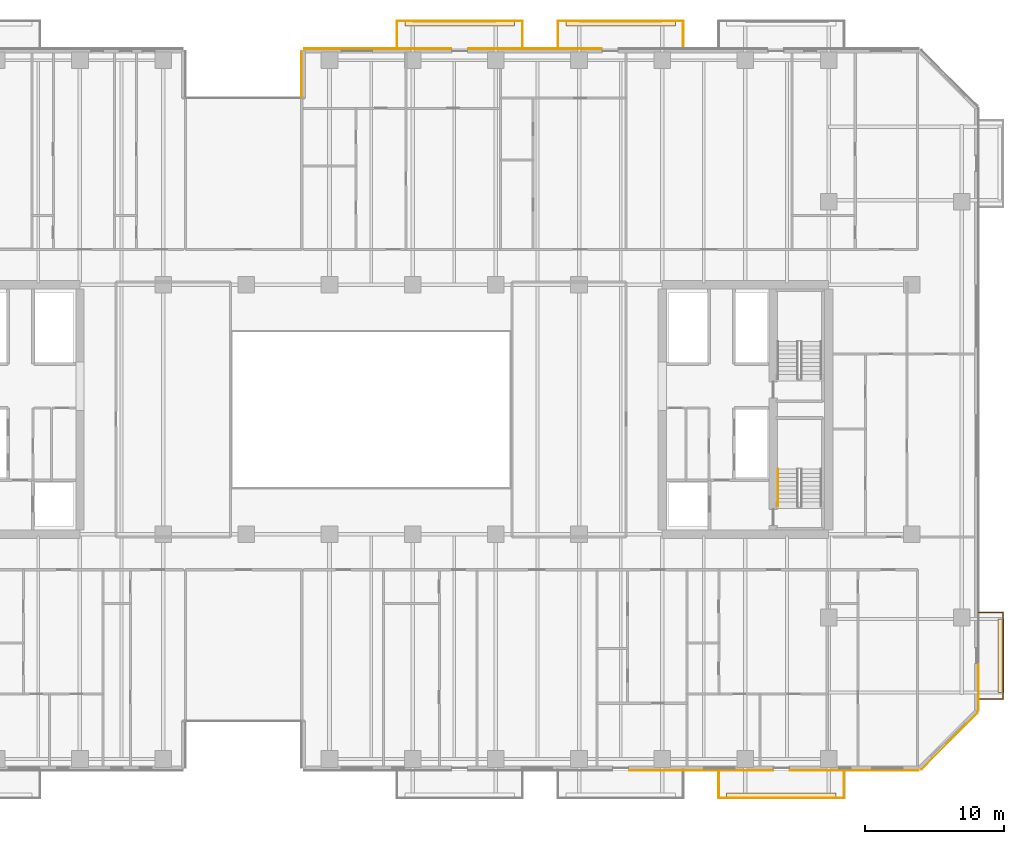
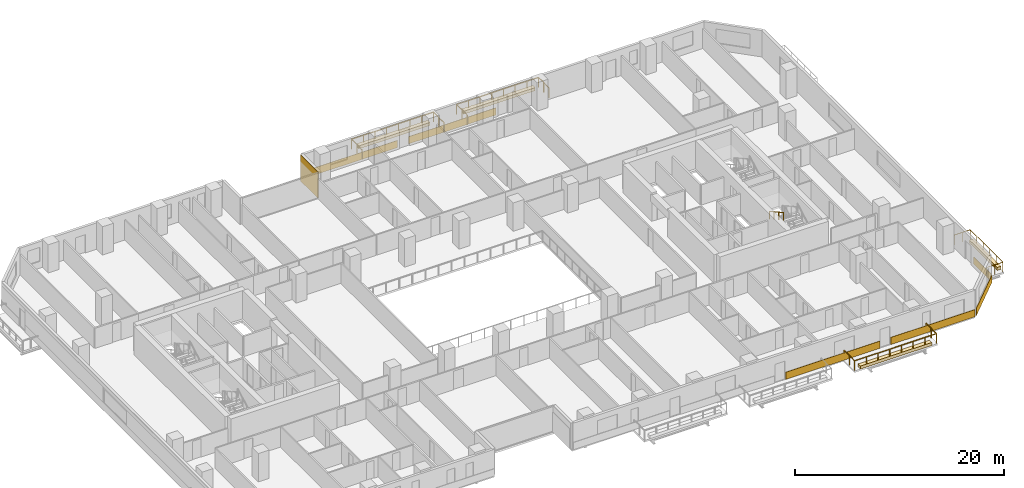
# One storey, part 23 of 26: 11 coverings, 5 railings.
"""IFC4 building model written with IfcOpenShell, lengths in metres."""

import ifcopenshell
import ifcopenshell.guid

model = None  # the IFC model being written
_history = None  # IfcOwnerHistory: only IFC2X3 demands one
_inside = {}  # id of a spatial element -> (the spatial element, [elements in it])
_under = {}  # id of a project, library or spatial element -> (it, [spatial elements below it])
_declared = {}  # id of a project -> (the project, [libraries it declares])
_typed = {}  # id of a type object -> (the type object, [elements of that type])
_made_of = {}  # id of a material, layer set ... -> (it, [elements and type objects made of it])


def new_model(schema):
    """Start an empty IFC model of exactly this schema.

    Asked for "IFC4X3", IfcOpenShell would pick the latest addendum, in which some entities
    have other attributes; the version numbers below select the first issue.
    IFC2X3 requires an IfcOwnerHistory on every rooted entity: one is made here for all.
    """
    global model, _history
    if schema == "IFC4X3":
        model = ifcopenshell.file(schema_version=(4, 3, 0, 0))
    else:
        model = ifcopenshell.file(schema=schema)
    _inside.clear()
    _under.clear()
    _declared.clear()
    _typed.clear()
    _made_of.clear()
    _history = None
    if model.schema == "IFC2X3":
        org = make("IfcOrganization", Name="unknown")
        user = make(
            "IfcPersonAndOrganization",
            ThePerson=make("IfcPerson", FamilyName="unknown"),
            TheOrganization=org,
        )
        app = make(
            "IfcApplication",
            ApplicationDeveloper=org,
            Version="unknown",
            ApplicationFullName="unknown",
            ApplicationIdentifier="unknown",
        )
        _history = make(
            "IfcOwnerHistory",
            OwningUser=user,
            OwningApplication=app,
            ChangeAction="ADDED",
            CreationDate=0,
        )
    return model


def make(cls, **values):
    """One entity of the class cls with the attributes given. An attribute that is None is left unset."""
    return model.create_entity(
        cls, **{name: value for name, value in values.items() if value is not None}
    )


def rooted(cls, **values):
    """An entity with a GlobalId (a new one), such as an element, a storey or a relation."""
    return make(cls, GlobalId=ifcopenshell.guid.new(), OwnerHistory=_history, **values)


def si_unit(unit_type, name, prefix=None):
    """IfcSIUnit, for example si_unit("LENGTHUNIT", "METRE", prefix="MILLI")."""
    return make("IfcSIUnit", UnitType=unit_type, Prefix=prefix, Name=name)


def assignment(units):
    """IfcUnitAssignment: the units of a project."""
    return None if units is None else make("IfcUnitAssignment", Units=units)


def point(xyz):
    """IfcCartesianPoint."""
    return None if xyz is None else make("IfcCartesianPoint", Coordinates=xyz)


def direction(xyz):
    """IfcDirection."""
    return None if xyz is None else make("IfcDirection", DirectionRatios=xyz)


def frame(location, z_axis=None, x_axis=None):
    """IfcAxis2Placement3D, a coordinate frame: its origin and axes. An axis left out is left unset."""
    return make(
        "IfcAxis2Placement3D",
        Location=point(location),
        Axis=direction(z_axis),
        RefDirection=direction(x_axis),
    )


def frame_2d(location, x_axis=None):
    """IfcAxis2Placement2D, a coordinate frame in the plane: its origin and x axis."""
    return make(
        "IfcAxis2Placement2D", Location=point(location), RefDirection=direction(x_axis)
    )


def origin():
    """The frame at (0, 0, 0) with its axes left unset."""
    return frame((0.0, 0.0, 0.0))


def origin_2d():
    """The frame at (0, 0) in the plane with its x axis left unset."""
    return frame_2d((0.0, 0.0))


def place(relative_to, where):
    """IfcLocalPlacement: puts the frame where relative to a parent placement (None: the world)."""
    return make(
        "IfcLocalPlacement", PlacementRelTo=relative_to, RelativePlacement=where
    )


def context(
    kind, dimensions, precision=None, world=None, true_north=None, identifier=None
):
    """IfcGeometricRepresentationContext, for example the 3D "Model" context."""
    return make(
        "IfcGeometricRepresentationContext",
        ContextIdentifier=identifier,
        ContextType=kind,
        CoordinateSpaceDimension=dimensions,
        Precision=precision,
        WorldCoordinateSystem=world,
        TrueNorth=true_north,
    )


def subcontext(parent, identifier, kind, view, scale=None):
    """IfcGeometricRepresentationSubContext, for example "Body" below "Model"."""
    return make(
        "IfcGeometricRepresentationSubContext",
        ContextIdentifier=identifier,
        ContextType=kind,
        ParentContext=parent,
        TargetScale=scale,
        TargetView=view,
    )


def project(units=None, contexts=None):
    """IfcProject with its units and contexts."""
    return rooted(
        "IfcProject",
        Name="project",
        RepresentationContexts=contexts,
        UnitsInContext=assignment(units),
    )


def spatial(cls, under=None, at=None, **own):
    """A site, building, storey or space (cls), placed at a placement, below another one or the project."""
    s = rooted(cls, ObjectPlacement=at, **own)
    if under is not None:
        _under.setdefault(under.id(), (under, []))[1].append(s)
    return s


def polyline(points):
    """IfcPolyline through the points."""
    return make("IfcPolyline", Points=[point(p) for p in points])


def profile(cls, at=None, kind="AREA", **sizes):
    """A parametric profile (cls). Its sizes go by their IFC names, for example OverallWidth=200.0."""
    return make(cls, ProfileType=kind, Position=at, **sizes)


def rectangle(**sizes):
    """IfcRectangleProfileDef."""
    return profile("IfcRectangleProfileDef", **sizes)


def outline(outer, holes=None, kind="AREA"):
    """IfcArbitraryClosedProfileDef: a profile drawn as a closed curve; with holes, ...WithVoids."""
    if holes is None:
        return make("IfcArbitraryClosedProfileDef", ProfileType=kind, OuterCurve=outer)
    return make(
        "IfcArbitraryProfileDefWithVoids",
        ProfileType=kind,
        OuterCurve=outer,
        InnerCurves=holes,
    )


def extrude(swept, where, along, depth):
    """IfcExtrudedAreaSolid: the profile swept, set in the frame where, extruded along a direction by depth."""
    return make(
        "IfcExtrudedAreaSolid",
        SweptArea=swept,
        Position=where,
        ExtrudedDirection=direction(along),
        Depth=depth,
    )


def shape(context_of_items, identifier, shape_type, items):
    """IfcShapeRepresentation: the items that make up one representation, for example the "Body"."""
    return make(
        "IfcShapeRepresentation",
        ContextOfItems=context_of_items,
        RepresentationIdentifier=identifier,
        RepresentationType=shape_type,
        Items=items,
    )


def material(Name=None, Category=None):
    """IfcMaterial."""
    return make("IfcMaterial", Name=Name, Category=Category)


def layer(
    of_material, thickness, ventilated=None, Name=None, Category=None, Priority=None
):
    """IfcMaterialLayer: one layer of a wall or slab, of a material (None: an air gap)."""
    return make(
        "IfcMaterialLayer",
        Material=of_material,
        LayerThickness=thickness,
        IsVentilated=ventilated,
        Name=Name,
        Category=Category,
        Priority=Priority,
    )


def layer_set(layers, Name=None):
    """IfcMaterialLayerSet."""
    return make("IfcMaterialLayerSet", MaterialLayers=layers, LayerSetName=Name)


def made_of(thing, what):
    """Note that an element or type object is made of a material, layer set ...; save() writes the relation."""
    if what is not None:
        _made_of.setdefault(what.id(), (what, []))[1].append(thing)
    return thing


def type_object(cls, material=None, **own):
    """A type object (cls), such as IfcWallType, which elements share."""
    return made_of(rooted(cls, **own), material)


def element(
    cls,
    number,
    at=None,
    inside=None,
    cuts=None,
    type_object=None,
    material=None,
    context=None,
    identifier="Body",
    shape_type=None,
    held_by="IfcProductDefinitionShape",
    body=None,
    shapes=None,
    **own,
):
    """One element of the class cls, such as IfcWall. Its Tag is "e" and its number.

    at: its placement. inside: the storey or other place that contains it. cuts: it is an
    opening in that element (IfcRelVoidsElement). A single representation is given by context,
    identifier, shape_type and body (its items); several are given by shapes. held_by: the class
    of the entity that holds the representations. save() writes the other relations.
    """
    e = rooted(cls, Tag="e%d" % number, ObjectPlacement=at, **own)
    if body is not None:
        shapes = [shape(context, identifier, shape_type, body)]
    if shapes is not None:
        e.Representation = make(held_by, Representations=shapes)
    if inside is not None:
        _inside.setdefault(inside.id(), (inside, []))[1].append(e)
    if cuts is not None:
        rooted(
            "IfcRelVoidsElement", RelatingBuildingElement=cuts, RelatedOpeningElement=e
        )
    if type_object is not None:
        _typed.setdefault(type_object.id(), (type_object, []))[1].append(e)
    return made_of(e, material)


def aggregate(whole, parts):
    """IfcRelAggregates: a whole, such as a stair, and the parts it consists of."""
    return rooted("IfcRelAggregates", RelatingObject=whole, RelatedObjects=parts)


def save(model, path):
    """Write the relations noted so far, then the file.

    IfcRelAggregates (storeys below a building ...), IfcRelContainedInSpatialStructure (elements
    in a storey), IfcRelDefinesByType, IfcRelAssociatesMaterial and IfcRelDeclares: one each for
    every whole, place, type object, material and project.
    """
    for whole, parts in _under.values():
        aggregate(whole, parts)
    for where, things in _inside.values():
        rooted(
            "IfcRelContainedInSpatialStructure",
            RelatedElements=things,
            RelatingStructure=where,
        )
    for kind, things in _typed.values():
        rooted("IfcRelDefinesByType", RelatedObjects=things, RelatingType=kind)
    for what, things in _made_of.values():
        rooted("IfcRelAssociatesMaterial", RelatedObjects=things, RelatingMaterial=what)
    for by, libraries in _declared.values():
        rooted("IfcRelDeclares", RelatingContext=by, RelatedDefinitions=libraries)
    model.write(path)


model = new_model("IFC4")

# Units and contexts
model_context = context("Model", 3, precision=1e-05, world=origin(), true_north=direction((0.0, 1.0)))
body_context = subcontext(model_context, "Body", "Model", "MODEL_VIEW")
ifc_project = project(units=[si_unit("LENGTHUNIT", "METRE"), si_unit("AREAUNIT", "SQUARE_METRE"), si_unit("VOLUMEUNIT", "CUBIC_METRE"), si_unit("PLANEANGLEUNIT", "RADIAN"), si_unit("MASSUNIT", "GRAM", prefix="KILO")], contexts=[model_context])

# Site, building, storey
site_placement = place(None, origin())
site = spatial("IfcSite", under=ifc_project, at=site_placement, CompositionType="ELEMENT")
building_placement = place(site_placement, origin())
building = spatial("IfcBuilding", under=site, at=building_placement, Name="Tanjung Sevakor Pilgrim Tower", CompositionType="ELEMENT")
storey_placement = place(building_placement, frame((0.0, 0.0, 45.5400390625)))
storey = spatial("IfcBuildingStorey", under=building, at=storey_placement, Name="L12", CompositionType="ELEMENT", Elevation=45.5400390625)

# Coverings
ifc_material_1 = material(Name="Reconstructed Limestone Cladding", Category="masonry")
ifc_layer_1 = layer(ifc_material_1, 0.044921875)
ifc_layer_set_1 = layer_set([ifc_layer_1], Name="COV-CLAD-LIMESTONE")
covering_type_1 = type_object("IfcCoveringType", Name="COV-CLAD-LIMESTONE", PredefinedType="CLADDING", material=ifc_layer_set_1)
covering_1_placement = place(storey_placement, frame((80.800048828125, 7.577392578125, 0.009765625), z_axis=(0.0, 0.0, 1.0), x_axis=(1.0, 0.0, 0.0)))
element("IfcCovering", 1, at=covering_1_placement, inside=storey, type_object=covering_type_1, Name="L12 Warm Limestone Sill Spandrel EW-L12-MAIN-5-3", PredefinedType="CLADDING", context=body_context, shape_type="SweptSolid", body=[
    extrude(rectangle(XDim=10.3798828125, YDim=0.044921875, at=origin_2d()), origin(), (0.0, 0.0, 1.0), 0.840087890625),
])
covering_2_placement = place(storey_placement, frame((91.85595703125, 7.577392578125, 0.009765625), z_axis=(0.0, 0.0, 1.0), x_axis=(1.0, 0.0, 0.0)))
element("IfcCovering", 2, at=covering_2_placement, inside=storey, type_object=covering_type_1, Name="L12 Warm Limestone Sill Spandrel EW-L12-MAIN-5-4", PredefinedType="CLADDING", context=body_context, shape_type="SweptSolid", body=[
    extrude(rectangle(XDim=9.2919921875, YDim=0.044921875, at=origin_2d()), origin(), (0.0, 0.0, 1.0), 0.840087890625),
])
covering_3_placement = place(storey_placement, frame((98.7158203125, 9.68408203125, 0.009765625), z_axis=(0.0, 0.0, 1.0), x_axis=(0.707106781187, 0.707106781187, 0.0)))
element("IfcCovering", 3, at=covering_3_placement, inside=storey, type_object=covering_type_1, Name="L12 Warm Limestone Sill Spandrel EW-CHM-L12-MAIN-5-1", PredefinedType="CLADDING", context=body_context, shape_type="SweptSolid", body=[
    extrude(rectangle(XDim=5.74365234375, YDim=0.044921875, at=origin_2d()), origin(), (0.0, 0.0, 1.0), 0.840087890625),
])
covering_4_placement = place(storey_placement, frame((100.822509765625, 13.569091796875, 0.009765625), z_axis=(0.0, 0.0, 1.0), x_axis=(0.0, 1.0, 0.0)))
element("IfcCovering", 4, at=covering_4_placement, inside=storey, type_object=covering_type_1, Name="L12 Warm Limestone Sill Spandrel EW-L12-MAIN-7-1", PredefinedType="CLADDING", context=body_context, shape_type="SweptSolid", body=[
    extrude(rectangle(XDim=3.342041015625, YDim=0.044921875, at=origin_2d()), origin(), (0.0, 0.0, 1.0), 0.840087890625),
])
covering_5_placement = place(storey_placement, frame((68.824951171875, 59.62255859375, 0.009765625), z_axis=(0.0, 0.0, 1.0), x_axis=(-1.0, 0.0, 0.0)))
element("IfcCovering", 5, at=covering_5_placement, inside=storey, type_object=covering_type_1, Name="L12 Warm Limestone Sill Spandrel EW-L12-MAIN-9-3", PredefinedType="CLADDING", context=body_context, shape_type="SweptSolid", body=[
    extrude(rectangle(XDim=9.6298828125, YDim=0.044921875, at=origin_2d()), origin(), (0.0, 0.0, 1.0), 0.840087890625),
])
covering_6_placement = place(storey_placement, frame((57.485107421875, 59.62255859375, 0.009765625), z_axis=(0.0, 0.0, 1.0), x_axis=(-1.0, 0.0, 0.0)))
element("IfcCovering", 6, at=covering_6_placement, inside=storey, type_object=covering_type_1, Name="L12 Warm Limestone Sill Spandrel EW-L12-MAIN-9-4", PredefinedType="CLADDING", context=body_context, shape_type="SweptSolid", body=[
    extrude(rectangle(XDim=10.610107421875, YDim=0.044921875, at=origin_2d()), origin(), (0.0, 0.0, 1.0), 0.840087890625),
])
covering_7_placement = place(storey_placement, frame((51.9775390625, 57.760009765625, 0.02001953125), z_axis=(0.0, 0.0, 1.0), x_axis=(0.0, -1.0, 0.0)))
element("IfcCovering", 7, at=covering_7_placement, inside=storey, type_object=covering_type_1, Name="L12 Warm Limestone Wall Cladding EW-L12-MAIN-10", PredefinedType="CLADDING", context=body_context, shape_type="SweptSolid", body=[
    extrude(rectangle(XDim=3.360107421875, YDim=0.044921875, at=origin_2d()), origin(), (0.0, 0.0, 1.0), 3.0400390625),
])
ifc_material_2 = material(Name="Vegetated Modular Planter Assembly", Category="organic")
ifc_layer_2 = layer(ifc_material_2, 0.35009765625)
ifc_layer_set_2 = layer_set([ifc_layer_2], Name="COV-GRN-TROUGH")
covering_type_2 = type_object("IfcCoveringType", Name="COV-GRN-TROUGH", PredefinedType="CLADDING", material=ifc_layer_set_2)
covering_8_placement = place(storey_placement, origin())
element("IfcCovering", 8, at=covering_8_placement, inside=storey, type_object=covering_type_2, Name="L12 Planted Landscape Hedge Trough BGRN-L12-MAIN-N2", PredefinedType="CLADDING", context=body_context, shape_type="SweptSolid", body=[
    extrude(outline(polyline([(59.449951171875, 61.260009765625), (67.35009765625, 61.260009765625), (67.35009765625, 61.699951171875), (59.449951171875, 61.699951171875), (59.449951171875, 61.260009765625)])), origin(), (0.0, 0.0, 1.0), 0.349853515625),
])
covering_9_placement = place(storey_placement, origin())
element("IfcCovering", 9, at=covering_9_placement, inside=storey, type_object=covering_type_2, Name="L12 Planted Landscape Hedge Trough BGRN-L12-MAIN-N3", PredefinedType="CLADDING", context=body_context, shape_type="SweptSolid", body=[
    extrude(outline(polyline([(71.050048828125, 61.260009765625), (78.949951171875, 61.260009765625), (78.949951171875, 61.699951171875), (71.050048828125, 61.699951171875), (71.050048828125, 61.260009765625)])), origin(), (0.0, 0.0, 1.0), 0.349853515625),
])
covering_10_placement = place(storey_placement, origin())
element("IfcCovering", 10, at=covering_10_placement, inside=storey, type_object=covering_type_2, Name="L12 Planted Landscape Hedge Trough BGRN-L12-MAIN-S4", PredefinedType="CLADDING", context=body_context, shape_type="SweptSolid", body=[
    extrude(outline(polyline([(82.64990234375, 5.5), (90.550048828125, 5.5), (90.550048828125, 5.93994140625), (82.64990234375, 5.93994140625), (82.64990234375, 5.5)])), origin(), (0.0, 0.0, 1.0), 0.349853515625),
])
covering_11_placement = place(storey_placement, origin())
element("IfcCovering", 11, at=covering_11_placement, inside=storey, type_object=covering_type_2, Name="L12 Planted Landscape Hedge Trough BGRN-L12-MAIN-E1", PredefinedType="CLADDING", context=body_context, shape_type="SweptSolid", body=[
    extrude(outline(polyline([(102.64990234375, 13.199951171875), (102.64990234375, 18.5), (102.2099609375, 18.5), (102.2099609375, 13.199951171875), (102.64990234375, 13.199951171875)])), origin(), (0.0, 0.0, 1.0), 0.349853515625),
])

# Railings
ifc_material_3 = material(Name="Laminated Glass and Aluminium", Category="aluminium")
railing_type_1 = type_object("IfcRailingType", Name="RL-BAL-BALUST", PredefinedType="BALUSTRADE", material=ifc_material_3)
railing_1_placement = place(storey_placement, frame((58.8798828125, 59.60009765625, 0.0)))
element("IfcRailing", 12, at=railing_1_placement, inside=storey, type_object=railing_type_1, Name="L12 Loggia Balustrade MAIN-N2", PredefinedType="BALUSTRADE", context=body_context, shape_type="SweptSolid", body=[
    extrude(rectangle(XDim=0.0479, YDim=0.0479), frame((0.0, 0.0, 1.1259765625), z_axis=(0.0, 1.0, 0.0), x_axis=(-1.0, 0.0, 0.0)), (0.0, 0.0, 1.0), 2.02001953125),
    extrude(rectangle(XDim=0.0479, YDim=0.0479), frame((0.0, 2.02001953125, 1.1259765625), z_axis=(1.0, 0.0, 0.0), x_axis=(0.0, 1.0, 0.0)), (0.0, 0.0, 1.0), 9.0400390625),
    extrude(rectangle(XDim=0.0479, YDim=0.0479), frame((9.0400390625, 2.02001953125, 1.1259765625), z_axis=(0.0, -1.0, 0.0), x_axis=(1.0, 0.0, 0.0)), (0.0, 0.0, 1.0), 2.02001953125),
    extrude(rectangle(XDim=0.042, YDim=0.042), origin(), (0.0, 0.0, 1.0), 1.101806640625),
    extrude(rectangle(XDim=0.042, YDim=0.042), frame((0.0, 1.010009765625, 0.0)), (0.0, 0.0, 1.0), 1.101806640625),
    extrude(rectangle(XDim=0.042, YDim=0.042), frame((0.0, 2.02001953125, 0.0)), (0.0, 0.0, 1.0), 1.101806640625),
    extrude(rectangle(XDim=0.042, YDim=0.042), frame((1.29150390625, 2.02001953125, 0.0)), (0.0, 0.0, 1.0), 1.101806640625),
    extrude(rectangle(XDim=0.042, YDim=0.042), frame((2.582763671875, 2.02001953125, 0.0)), (0.0, 0.0, 1.0), 1.101806640625),
    extrude(rectangle(XDim=0.042, YDim=0.042), frame((3.874267578125, 2.02001953125, 0.0)), (0.0, 0.0, 1.0), 1.101806640625),
    extrude(rectangle(XDim=0.042, YDim=0.042), frame((5.165771484375, 2.02001953125, 0.0)), (0.0, 0.0, 1.0), 1.101806640625),
    extrude(rectangle(XDim=0.042, YDim=0.042), frame((6.457275390625, 2.02001953125, 0.0)), (0.0, 0.0, 1.0), 1.101806640625),
    extrude(rectangle(XDim=0.042, YDim=0.042), frame((7.74853515625, 2.02001953125, 0.0)), (0.0, 0.0, 1.0), 1.101806640625),
    extrude(rectangle(XDim=0.042, YDim=0.042), frame((9.0400390625, 2.02001953125, 0.0)), (0.0, 0.0, 1.0), 1.101806640625),
    extrude(rectangle(XDim=0.042, YDim=0.042), frame((9.0400390625, 1.010009765625, 0.0)), (0.0, 0.0, 1.0), 1.101806640625),
    extrude(rectangle(XDim=0.042, YDim=0.042), frame((9.0400390625, 0.0, 0.0)), (0.0, 0.0, 1.0), 1.101806640625),
])
railing_2_placement = place(storey_placement, frame((70.47998046875, 59.60009765625, 0.0)))
element("IfcRailing", 13, at=railing_2_placement, inside=storey, type_object=railing_type_1, Name="L12 Loggia Balustrade MAIN-N3", PredefinedType="BALUSTRADE", context=body_context, shape_type="SweptSolid", body=[
    extrude(rectangle(XDim=0.0479, YDim=0.0479), frame((0.0, 0.0, 1.1259765625), z_axis=(0.0, 1.0, 0.0), x_axis=(-1.0, 0.0, 0.0)), (0.0, 0.0, 1.0), 2.02001953125),
    extrude(rectangle(XDim=0.0479, YDim=0.0479), frame((0.0, 2.02001953125, 1.1259765625), z_axis=(1.0, 0.0, 0.0), x_axis=(0.0, 1.0, 0.0)), (0.0, 0.0, 1.0), 9.0400390625),
    extrude(rectangle(XDim=0.0479, YDim=0.0479), frame((9.0400390625, 2.02001953125, 1.1259765625), z_axis=(0.0, -1.0, 0.0), x_axis=(1.0, 0.0, 0.0)), (0.0, 0.0, 1.0), 2.02001953125),
    extrude(rectangle(XDim=0.042, YDim=0.042), origin(), (0.0, 0.0, 1.0), 1.101806640625),
    extrude(rectangle(XDim=0.042, YDim=0.042), frame((0.0, 1.010009765625, 0.0)), (0.0, 0.0, 1.0), 1.101806640625),
    extrude(rectangle(XDim=0.042, YDim=0.042), frame((0.0, 2.02001953125, 0.0)), (0.0, 0.0, 1.0), 1.101806640625),
    extrude(rectangle(XDim=0.042, YDim=0.042), frame((1.29150390625, 2.02001953125, 0.0)), (0.0, 0.0, 1.0), 1.101806640625),
    extrude(rectangle(XDim=0.042, YDim=0.042), frame((2.582763671875, 2.02001953125, 0.0)), (0.0, 0.0, 1.0), 1.101806640625),
    extrude(rectangle(XDim=0.042, YDim=0.042), frame((3.874267578125, 2.02001953125, 0.0)), (0.0, 0.0, 1.0), 1.101806640625),
    extrude(rectangle(XDim=0.042, YDim=0.042), frame((5.165771484375, 2.02001953125, 0.0)), (0.0, 0.0, 1.0), 1.101806640625),
    extrude(rectangle(XDim=0.042, YDim=0.042), frame((6.457275390625, 2.02001953125, 0.0)), (0.0, 0.0, 1.0), 1.101806640625),
    extrude(rectangle(XDim=0.042, YDim=0.042), frame((7.74853515625, 2.02001953125, 0.0)), (0.0, 0.0, 1.0), 1.101806640625),
    extrude(rectangle(XDim=0.042, YDim=0.042), frame((9.0400390625, 2.02001953125, 0.0)), (0.0, 0.0, 1.0), 1.101806640625),
    extrude(rectangle(XDim=0.042, YDim=0.042), frame((9.0400390625, 1.010009765625, 0.0)), (0.0, 0.0, 1.0), 1.101806640625),
    extrude(rectangle(XDim=0.042, YDim=0.042), frame((9.0400390625, 0.0, 0.0)), (0.0, 0.0, 1.0), 1.101806640625),
])
railing_3_placement = place(storey_placement, frame((82.080078125, 7.60009765625, 0.0)))
element("IfcRailing", 14, at=railing_3_placement, inside=storey, type_object=railing_type_1, Name="L12 Loggia Balustrade MAIN-S4", PredefinedType="BALUSTRADE", context=body_context, shape_type="SweptSolid", body=[
    extrude(rectangle(XDim=0.0479, YDim=0.0479), frame((0.0, 0.0, 1.1259765625), z_axis=(0.0, -1.0, 0.0), x_axis=(1.0, 0.0, 0.0)), (0.0, 0.0, 1.0), 2.02001953125),
    extrude(rectangle(XDim=0.0479, YDim=0.0479), frame((0.0, -2.02001953125, 1.1259765625), z_axis=(1.0, 0.0, 0.0), x_axis=(0.0, 1.0, 0.0)), (0.0, 0.0, 1.0), 9.0400390625),
    extrude(rectangle(XDim=0.0479, YDim=0.0479), frame((9.0400390625, -2.02001953125, 1.1259765625), z_axis=(0.0, 1.0, 0.0), x_axis=(-1.0, 0.0, 0.0)), (0.0, 0.0, 1.0), 2.02001953125),
    extrude(rectangle(XDim=0.042, YDim=0.042), origin(), (0.0, 0.0, 1.0), 1.101806640625),
    extrude(rectangle(XDim=0.042, YDim=0.042), frame((0.0, -1.010009765625, 0.0)), (0.0, 0.0, 1.0), 1.101806640625),
    extrude(rectangle(XDim=0.042, YDim=0.042), frame((0.0, -2.02001953125, 0.0)), (0.0, 0.0, 1.0), 1.101806640625),
    extrude(rectangle(XDim=0.042, YDim=0.042), frame((1.29150390625, -2.02001953125, 0.0)), (0.0, 0.0, 1.0), 1.101806640625),
    extrude(rectangle(XDim=0.042, YDim=0.042), frame((2.582763671875, -2.02001953125, 0.0)), (0.0, 0.0, 1.0), 1.101806640625),
    extrude(rectangle(XDim=0.042, YDim=0.042), frame((3.874267578125, -2.02001953125, 0.0)), (0.0, 0.0, 1.0), 1.101806640625),
    extrude(rectangle(XDim=0.042, YDim=0.042), frame((5.165771484375, -2.02001953125, 0.0)), (0.0, 0.0, 1.0), 1.101806640625),
    extrude(rectangle(XDim=0.042, YDim=0.042), frame((6.457275390625, -2.02001953125, 0.0)), (0.0, 0.0, 1.0), 1.101806640625),
    extrude(rectangle(XDim=0.042, YDim=0.042), frame((7.74853515625, -2.02001953125, 0.0)), (0.0, 0.0, 1.0), 1.101806640625),
    extrude(rectangle(XDim=0.042, YDim=0.042), frame((9.0400390625, -2.02001953125, 0.0)), (0.0, 0.0, 1.0), 1.101806640625),
    extrude(rectangle(XDim=0.042, YDim=0.042), frame((9.0400390625, -1.010009765625, 0.0)), (0.0, 0.0, 1.0), 1.101806640625),
    extrude(rectangle(XDim=0.042, YDim=0.042), frame((9.0400390625, 0.0, 0.0)), (0.0, 0.0, 1.0), 1.101806640625),
])
railing_4_placement = place(storey_placement, frame((100.800048828125, 12.72998046875, 0.0)))
element("IfcRailing", 15, at=railing_4_placement, inside=storey, type_object=railing_type_1, Name="L12 Loggia Balustrade MAIN-E1", PredefinedType="BALUSTRADE", context=body_context, shape_type="SweptSolid", body=[
    extrude(rectangle(XDim=0.0479, YDim=0.0479), frame((0.0, 0.0, 1.1259765625), z_axis=(1.0, 0.0, 0.0), x_axis=(0.0, 1.0, 0.0)), (0.0, 0.0, 1.0), 1.77001953125),
    extrude(rectangle(XDim=0.0479, YDim=0.0479), frame((1.77001953125, 0.0, 1.1259765625), z_axis=(0.0, 1.0, 0.0), x_axis=(-1.0, 0.0, 0.0)), (0.0, 0.0, 1.0), 6.239990234375),
    extrude(rectangle(XDim=0.0479, YDim=0.0479), frame((1.77001953125, 6.239990234375, 1.1259765625), z_axis=(-1.0, 0.0, 0.0), x_axis=(0.0, -1.0, 0.0)), (0.0, 0.0, 1.0), 1.77001953125),
    extrude(rectangle(XDim=0.042, YDim=0.042), origin(), (0.0, 0.0, 1.0), 1.101806640625),
    extrude(rectangle(XDim=0.042, YDim=0.042), frame((0.885009765625, 0.0, 0.0)), (0.0, 0.0, 1.0), 1.101806640625),
    extrude(rectangle(XDim=0.042, YDim=0.042), frame((1.77001953125, 0.0, 0.0)), (0.0, 0.0, 1.0), 1.101806640625),
    extrude(rectangle(XDim=0.042, YDim=0.042), frame((1.77001953125, 1.248046875, 0.0)), (0.0, 0.0, 1.0), 1.101806640625),
    extrude(rectangle(XDim=0.042, YDim=0.042), frame((1.77001953125, 2.49609375, 0.0)), (0.0, 0.0, 1.0), 1.101806640625),
    extrude(rectangle(XDim=0.042, YDim=0.042), frame((1.77001953125, 3.743896484375, 0.0)), (0.0, 0.0, 1.0), 1.101806640625),
    extrude(rectangle(XDim=0.042, YDim=0.042), frame((1.77001953125, 4.991943359375, 0.0)), (0.0, 0.0, 1.0), 1.101806640625),
    extrude(rectangle(XDim=0.042, YDim=0.042), frame((1.77001953125, 6.239990234375, 0.0)), (0.0, 0.0, 1.0), 1.101806640625),
    extrude(rectangle(XDim=0.042, YDim=0.042), frame((0.885009765625, 6.239990234375, 0.0)), (0.0, 0.0, 1.0), 1.101806640625),
    extrude(rectangle(XDim=0.042, YDim=0.042), frame((0.0, 6.239990234375, 0.0)), (0.0, 0.0, 1.0), 1.101806640625),
])
ifc_material_4 = material(Name="Steel S355J2", Category="steel")
railing_type_2 = type_object("IfcRailingType", Name="RL-STAIR-HAND", PredefinedType="HANDRAIL", material=ifc_material_4)
railing_5_placement = place(storey_placement, frame((86.35009765625, 29.300048828125, 1.81494140625)))
element("IfcRailing", 16, at=railing_5_placement, inside=storey, type_object=railing_type_2, Name="L12 TS-E1 stair handrail 2", PredefinedType="HANDRAIL", context=body_context, shape_type="SweptSolid", body=[
    extrude(rectangle(XDim=0.0479, YDim=0.0479), frame((0.0, 0.0, 0.8759765625), z_axis=(0.0, -0.876197507361, 0.481952205197), x_axis=(1.0, 0.0, 0.0)), (0.0, 0.0, 1.0), 3.08154296875),
    extrude(rectangle(XDim=0.042, YDim=0.042), origin(), (0.0, 0.0, 1.0), 0.851806640625),
    extrude(rectangle(XDim=0.042, YDim=0.042), frame((0.0, -0.89990234375, 0.4951171875)), (0.0, 0.0, 1.0), 0.851806640625),
    extrude(rectangle(XDim=0.042, YDim=0.042), frame((0.0, -1.800048828125, 0.989990234375)), (0.0, 0.0, 1.0), 0.851806640625),
    extrude(rectangle(XDim=0.042, YDim=0.042), frame((0.0, -2.699951171875, 1.485107421875)), (0.0, 0.0, 1.0), 0.851806640625),
])

save(model, "model.ifc")
